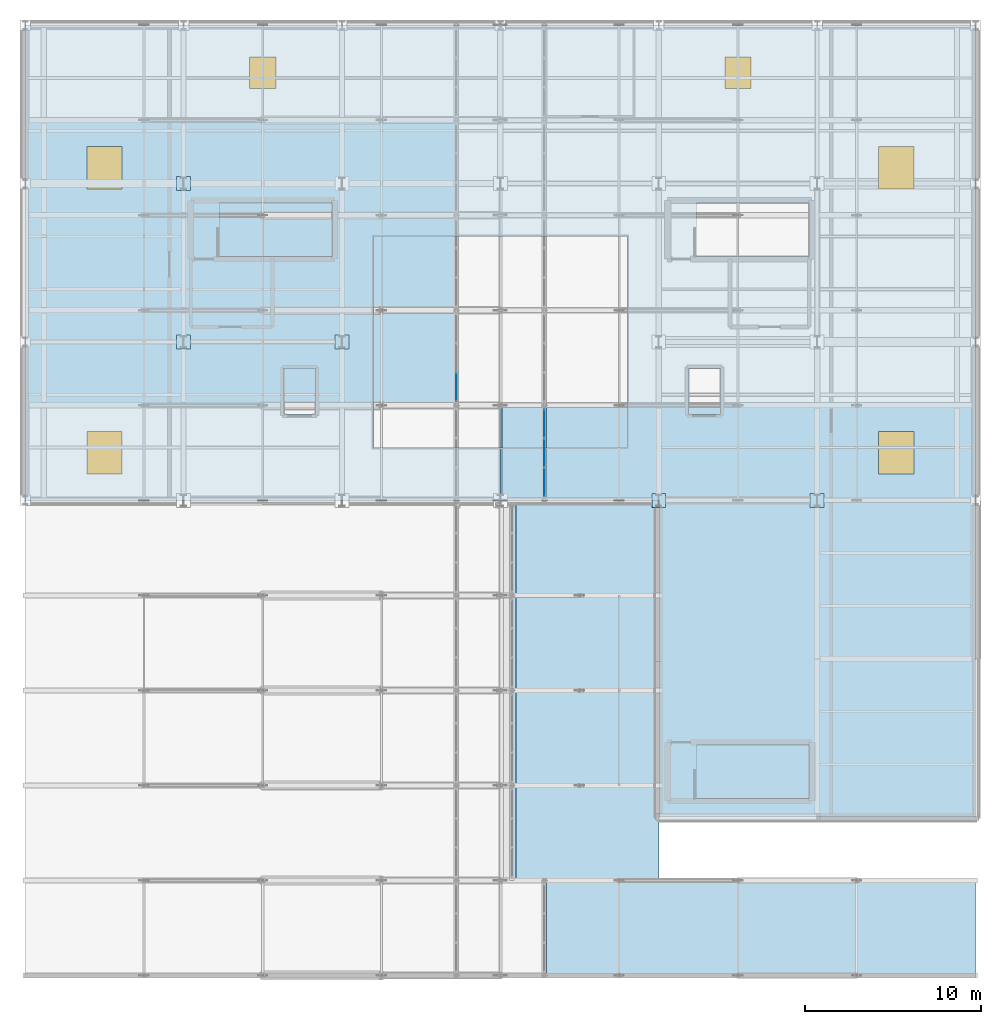
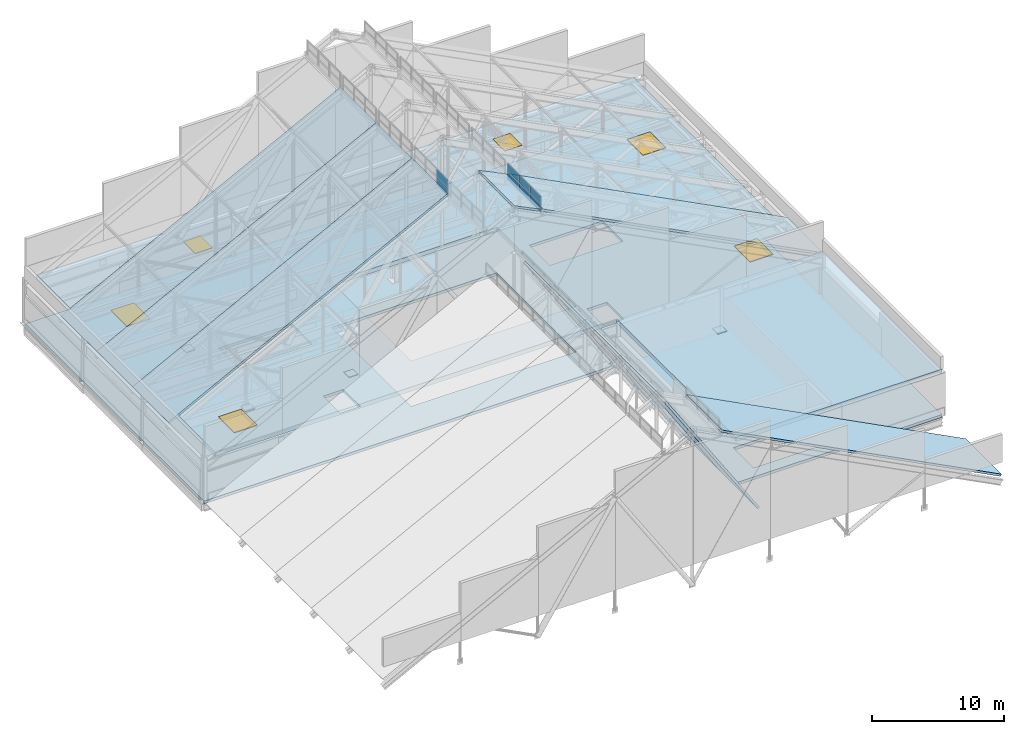
# One storey, part 70 of 84: 13 plates, 12 slabs, 6 windows, 6 openings, 2 elements without a shape of their own.
"""IFC4 building model written with IfcOpenShell, lengths in metres."""

from ifc_helpers import new_model, si_unit, direction, frame, origin, origin_2d, place, context, subcontext, project, spatial, polyline, rectangle, outline, extrude, material, layer, layer_set, type_object, element, fill, aggregate, save


model = new_model("IFC4")

# Units and contexts
model_context = context("Model", 3, precision=1e-05, world=origin(), true_north=direction((0.0, 1.0)))
body_context = subcontext(model_context, "Body", "Model", "MODEL_VIEW")
ifc_project = project(units=[si_unit("LENGTHUNIT", "METRE"), si_unit("AREAUNIT", "SQUARE_METRE"), si_unit("VOLUMEUNIT", "CUBIC_METRE"), si_unit("PLANEANGLEUNIT", "RADIAN"), si_unit("MASSUNIT", "GRAM", prefix="KILO")], contexts=[model_context])

# Site, building, storey
site_placement = place(None, origin())
site = spatial("IfcSite", under=ifc_project, at=site_placement, CompositionType="ELEMENT")
building_placement = place(site_placement, origin())
building = spatial("IfcBuilding", under=site, at=building_placement, Name="Sundgate Opera House", CompositionType="ELEMENT")
storey_placement = place(building_placement, frame((0.0, 0.0, 30.60009765625)))
storey = spatial("IfcBuildingStorey", under=building, at=storey_placement, Name="L06", CompositionType="ELEMENT", Elevation=30.60009765625)

# Curtain wall, plates
ifc_material_1 = material(Name="Anodized aluminium and low-iron glass", Category="aluminium")
ifc_layer_1 = layer(ifc_material_1, 0.169921875)
ifc_layer_set_1 = layer_set([ifc_layer_1], Name="Anodized aluminium and low-iron glass")
curtain_wall_type = type_object("IfcCurtainWallType", Name="CW-LANTERN-POLY", PredefinedType="NOTDEFINED", material=ifc_layer_set_1)
curtain_wall_1_placement = place(storey_placement, origin())
curtain_wall_1 = element("IfcCurtainWall", 1, at=curtain_wall_1_placement, inside=storey, type_object=curtain_wall_type, Name="L06 Curtain Wall CW180", PredefinedType="NOTDEFINED")
ifc_material_2 = material(Name="Polychrome stained-glass skylight glazing", Category="glass")
ifc_layer_2 = layer(ifc_material_2, 0.028076171875)
ifc_layer_set_2 = layer_set([ifc_layer_2], Name="Polychrome stained-glass skylight glazing")
plate_type_1 = type_object("IfcPlateType", Name="CWP-POLY-28", PredefinedType="CURTAIN_PANEL", material=ifc_layer_set_2)
plate_1_placement = place(storey_placement, frame((56.5, 61.033447265625, 16.219970703125), z_axis=(0.0, 0.0, 1.0), x_axis=(0.0, 1.0, 0.0)))
plate_1 = element("IfcPlate", 2, at=plate_1_placement, type_object=plate_type_1, Name="CW180 Panel 1", PredefinedType="CURTAIN_PANEL", context=body_context, shape_type="SweptSolid", body=[
    extrude(rectangle(XDim=1.626708984375, YDim=0.028076171875, at=origin_2d()), origin(), (0.0, 0.0, 1.0), 0.7099609375),
])
plate_2_placement = place(storey_placement, frame((56.5, 61.033447265625, 16.969970703125), z_axis=(0.0, 0.0, 1.0), x_axis=(0.0, 1.0, 0.0)))
plate_2 = element("IfcPlate", 3, at=plate_2_placement, type_object=plate_type_1, Name="CW180 Panel 2", PredefinedType="CURTAIN_PANEL", context=body_context, shape_type="SweptSolid", body=[
    extrude(rectangle(XDim=1.626708984375, YDim=0.028076171875, at=origin_2d()), origin(), (0.0, 0.0, 1.0), 0.7099609375),
])
plate_3_placement = place(storey_placement, frame((56.5, 62.699951171875, 16.219970703125), z_axis=(0.0, 0.0, 1.0), x_axis=(0.0, 1.0, 0.0)))
plate_3 = element("IfcPlate", 4, at=plate_3_placement, type_object=plate_type_1, Name="CW180 Panel 3", PredefinedType="CURTAIN_PANEL", context=body_context, shape_type="SweptSolid", body=[
    extrude(rectangle(XDim=1.626708984375, YDim=0.028076171875, at=origin_2d()), origin(), (0.0, 0.0, 1.0), 0.7099609375),
])
plate_4_placement = place(storey_placement, frame((56.5, 62.699951171875, 16.969970703125), z_axis=(0.0, 0.0, 1.0), x_axis=(0.0, 1.0, 0.0)))
plate_4 = element("IfcPlate", 5, at=plate_4_placement, type_object=plate_type_1, Name="CW180 Panel 4", PredefinedType="CURTAIN_PANEL", context=body_context, shape_type="SweptSolid", body=[
    extrude(rectangle(XDim=1.626708984375, YDim=0.028076171875, at=origin_2d()), origin(), (0.0, 0.0, 1.0), 0.7099609375),
])
plate_5_placement = place(storey_placement, frame((56.5, 64.36669921875, 16.219970703125), z_axis=(0.0, 0.0, 1.0), x_axis=(0.0, 1.0, 0.0)))
plate_5 = element("IfcPlate", 6, at=plate_5_placement, type_object=plate_type_1, Name="CW180 Panel 5", PredefinedType="CURTAIN_PANEL", context=body_context, shape_type="SweptSolid", body=[
    extrude(rectangle(XDim=1.626708984375, YDim=0.028076171875, at=origin_2d()), origin(), (0.0, 0.0, 1.0), 0.7099609375),
])
plate_6_placement = place(storey_placement, frame((56.5, 64.36669921875, 16.969970703125), z_axis=(0.0, 0.0, 1.0), x_axis=(0.0, 1.0, 0.0)))
plate_6 = element("IfcPlate", 7, at=plate_6_placement, type_object=plate_type_1, Name="CW180 Panel 6", PredefinedType="CURTAIN_PANEL", context=body_context, shape_type="SweptSolid", body=[
    extrude(rectangle(XDim=1.626708984375, YDim=0.028076171875, at=origin_2d()), origin(), (0.0, 0.0, 1.0), 0.7099609375),
])
aggregate(curtain_wall_1, [plate_1, plate_2, plate_3, plate_4, plate_5, plate_6])

curtain_wall_2_placement = place(storey_placement, origin())
curtain_wall_2 = element("IfcCurtainWall", 8, at=curtain_wall_2_placement, inside=storey, type_object=curtain_wall_type, Name="L06 Curtain Wall CW181", PredefinedType="NOTDEFINED")
plate_7_placement = place(storey_placement, frame((51.5, 66.433349609375, 16.219970703125), z_axis=(0.0, 0.0, 1.0), x_axis=(0.0, -1.0, 0.0)))
plate_7 = element("IfcPlate", 9, at=plate_7_placement, type_object=plate_type_1, Name="CW181 Panel 5", PredefinedType="CURTAIN_PANEL", context=body_context, shape_type="SweptSolid", body=[
    extrude(rectangle(XDim=1.626708984375, YDim=0.028076171875, at=origin_2d()), origin(), (0.0, 0.0, 1.0), 0.7099609375),
])
plate_8_placement = place(storey_placement, frame((51.5, 66.433349609375, 16.969970703125), z_axis=(0.0, 0.0, 1.0), x_axis=(0.0, -1.0, 0.0)))
plate_8 = element("IfcPlate", 10, at=plate_8_placement, type_object=plate_type_1, Name="CW181 Panel 6", PredefinedType="CURTAIN_PANEL", context=body_context, shape_type="SweptSolid", body=[
    extrude(rectangle(XDim=1.626708984375, YDim=0.028076171875, at=origin_2d()), origin(), (0.0, 0.0, 1.0), 0.7099609375),
])
aggregate(curtain_wall_2, [plate_7, plate_8])

# Plates
ifc_material_3 = material(Name="Steel S355J2", Category="steel")
ifc_layer_3 = layer(ifc_material_3, 0.0400390625)
ifc_layer_set_3 = layer_set([ifc_layer_3], Name="Steel S355J2")
plate_type_2 = type_object("IfcPlateType", Name="PT-BAS-40", PredefinedType="USERDEFINED", material=ifc_layer_set_3)
plate_9_placement = place(storey_placement, frame((36.0, 69.0, 0.0), z_axis=(0.0, 0.0, 1.0), x_axis=(1.0, 0.0, 0.0)))
element("IfcPlate", 11, at=plate_9_placement, inside=storey, type_object=plate_type_2, Name="L06 Base Plate PT0051", ObjectType="BASE PLATE", PredefinedType="USERDEFINED", context=body_context, shape_type="SweptSolid", body=[
    extrude(rectangle(XDim=0.7900390625, YDim=0.7900390625, at=origin_2d()), origin(), (0.0, 0.0, 1.0), 0.0400390625),
])
ifc_material_4 = material(Name="Steel S355J2", Category="steel")
ifc_layer_4 = layer(ifc_material_4, 0.044921875)
ifc_layer_set_4 = layer_set([ifc_layer_4], Name="Steel S355J2")
plate_type_3 = type_object("IfcPlateType", Name="PT-BAS-45", PredefinedType="USERDEFINED", material=ifc_layer_set_4)
for number, where, z_axis, x_axis, name in (
    (12, (36.0, 78.0, 0.0), (0.0, 0.0, 1.0), (1.0, 0.0, 0.0), "L06 Base Plate PT0053"),
    (13, (45.0, 69.0, 0.0), (0.0, 0.0, 1.0), (1.0, 0.0, 0.0), "L06 Base Plate PT0069"),
):
    element("IfcPlate", number, at=place(storey_placement, frame(where, z_axis=z_axis, x_axis=x_axis)), inside=storey, type_object=plate_type_3, Name=name, ObjectType="BASE PLATE", PredefinedType="USERDEFINED", context=body_context, shape_type="SweptSolid", body=[
        extrude(rectangle(XDim=0.7900390625, YDim=0.7900390625, at=origin_2d()), origin(), (0.0, 0.0, 1.0), 0.044921875),
    ])
ifc_material_5 = material(Name="Steel S355J2", Category="steel")
ifc_layer_5 = layer(ifc_material_5, 0.050048828125)
ifc_layer_set_5 = layer_set([ifc_layer_5], Name="Steel S355J2")
plate_type_4 = type_object("IfcPlateType", Name="PT-BAS-50", PredefinedType="USERDEFINED", material=ifc_layer_set_5)
plate_10_placement = place(storey_placement, frame((63.0, 60.0, 0.0), z_axis=(0.0, 0.0, 1.0), x_axis=(1.0, 0.0, 0.0)))
element("IfcPlate", 14, at=plate_10_placement, inside=storey, type_object=plate_type_4, Name="L06 Base Plate PT0102", ObjectType="BASE PLATE", PredefinedType="USERDEFINED", context=body_context, shape_type="SweptSolid", body=[
    extrude(rectangle(XDim=0.7900390625, YDim=0.7900390625, at=origin_2d()), origin(), (0.0, 0.0, 1.0), 0.050048828125),
])
ifc_material_6 = material(Name="Steel S355J2", Category="steel")
ifc_layer_6 = layer(ifc_material_6, 0.068115234375)
ifc_layer_set_6 = layer_set([ifc_layer_6], Name="Steel S355J2")
plate_type_5 = type_object("IfcPlateType", Name="PT-BAS-68", PredefinedType="USERDEFINED", material=ifc_layer_set_6)
plate_11_placement = place(storey_placement, frame((72.0, 60.0, 0.0), z_axis=(0.0, 0.0, 1.0), x_axis=(1.0, 0.0, 0.0)))
element("IfcPlate", 15, at=plate_11_placement, inside=storey, type_object=plate_type_5, Name="L06 Base Plate PT0122", ObjectType="BASE PLATE", PredefinedType="USERDEFINED", context=body_context, shape_type="SweptSolid", body=[
    extrude(rectangle(XDim=0.7900390625, YDim=0.7900390625, at=origin_2d()), origin(), (0.0, 0.0, 1.0), 0.068115234375),
])

# Slab
ifc_material_7 = material(Name="Concrete C35/45", Category="concrete")
ifc_layer_7 = layer(ifc_material_7, 0.260009765625)
ifc_layer_set_7 = layer_set([ifc_layer_7], Name="Concrete C35/45")
slab_type_1 = type_object("IfcSlabType", Name="SL-FLR-260", PredefinedType="FLOOR", material=ifc_layer_set_7)
slab_1_placement = place(storey_placement, frame((0.0, 0.0, -0.260009765625)))
element("IfcSlab", 16, at=slab_1_placement, inside=storey, type_object=slab_type_1, Name="L06 Structural Floor Slab V1", PredefinedType="FLOOR", context=body_context, shape_type="SweptSolid", body=[
    extrude(outline(polyline([(27.0, 60.0), (63.0, 60.0), (63.0, 42.0), (81.0, 42.0), (81.0, 87.0), (27.0, 87.0), (27.0, 60.0)]), holes=[polyline([(46.800048828125, 75.0), (61.199951171875, 75.0), (61.199951171875, 63.0), (46.800048828125, 63.0), (46.800048828125, 75.0)]), polyline([(38.050048828125, 76.89990234375), (44.449951171875, 76.89990234375), (44.449951171875, 73.85009765625), (38.050048828125, 73.85009765625), (38.050048828125, 76.89990234375)]), polyline([(65.14990234375, 46.10009765625), (71.550048828125, 46.10009765625), (71.550048828125, 43.050048828125), (65.14990234375, 43.050048828125), (65.14990234375, 46.10009765625)]), polyline([(65.14990234375, 76.89990234375), (71.550048828125, 76.89990234375), (71.550048828125, 73.85009765625), (65.14990234375, 73.85009765625), (65.14990234375, 76.89990234375)]), polyline([(41.719970703125, 67.47998046875), (43.47998046875, 67.47998046875), (43.47998046875, 64.919921875), (41.719970703125, 64.919921875), (41.719970703125, 67.47998046875)]), polyline([(64.719970703125, 67.47998046875), (66.47998046875, 67.47998046875), (66.47998046875, 64.919921875), (64.719970703125, 64.919921875), (64.719970703125, 67.47998046875)])]), origin(), (0.0, 0.0, 1.0), 0.260009765625),
])

# Slab, openings, windows
ifc_material_8 = material(Name="Concrete C40/50", Category="concrete")
ifc_layer_8 = layer(ifc_material_8, 0.39990234375)
ifc_layer_set_8 = layer_set([ifc_layer_8], Name="Concrete C40/50")
slab_type_2 = type_object("IfcSlabType", Name="SL-FLR-400", PredefinedType="FLOOR", material=ifc_layer_set_8)
slab_2_placement = place(storey_placement, frame((0.0, 0.0, 3.7998046875)))
slab_2 = element("IfcSlab", 17, at=slab_2_placement, inside=storey, type_object=slab_type_2, Name="L06 Fly-Tower Gridiron Maintenance Deck", PredefinedType="FLOOR", context=body_context, shape_type="SweptSolid", body=[
    extrude(outline(polyline([(27.949951171875, 60.0), (63.0, 60.0), (63.0, 42.0), (81.0, 42.0), (81.0, 60.0), (80.050048828125, 60.0), (80.050048828125, 87.0), (27.949951171875, 87.0), (27.949951171875, 60.0)]), holes=[polyline([(46.800048828125, 75.0), (61.199951171875, 75.0), (61.199951171875, 63.0), (46.800048828125, 63.0), (46.800048828125, 75.0)])]), origin(), (0.0, 0.0, 1.0), 0.400146484375),
])
opening_1_placement = place(slab_2_placement, frame((31.5, 62.699951171875, 0.0)))
opening_1 = element("IfcOpeningElement", 18, at=opening_1_placement, cuts=slab_2, Name="Opening SK1", PredefinedType="OPENING", context=body_context, shape_type="SweptSolid", body=[
    extrude(rectangle(XDim=2.0, YDim=2.39990234375, at=origin_2d()), origin(), (0.0, 0.0, 1.0), 0.400146484375),
])
opening_2_placement = place(slab_2_placement, frame((31.5, 78.89990234375, 0.0)))
opening_2 = element("IfcOpeningElement", 19, at=opening_2_placement, cuts=slab_2, Name="Opening SK1", PredefinedType="OPENING", context=body_context, shape_type="SweptSolid", body=[
    extrude(rectangle(XDim=2.0, YDim=2.39990234375, at=origin_2d()), origin(), (0.0, 0.0, 1.0), 0.400146484375),
])
opening_3_placement = place(slab_2_placement, frame((76.5, 62.699951171875, 0.0)))
opening_3 = element("IfcOpeningElement", 20, at=opening_3_placement, cuts=slab_2, Name="Opening SK1", PredefinedType="OPENING", context=body_context, shape_type="SweptSolid", body=[
    extrude(rectangle(XDim=2.0, YDim=2.39990234375, at=origin_2d()), origin(), (0.0, 0.0, 1.0), 0.400146484375),
])
opening_4_placement = place(slab_2_placement, frame((76.5, 78.89990234375, 0.0)))
opening_4 = element("IfcOpeningElement", 21, at=opening_4_placement, cuts=slab_2, Name="Opening SK1", PredefinedType="OPENING", context=body_context, shape_type="SweptSolid", body=[
    extrude(rectangle(XDim=2.0, YDim=2.39990234375, at=origin_2d()), origin(), (0.0, 0.0, 1.0), 0.400146484375),
])
opening_5_placement = place(slab_2_placement, frame((40.5, 84.300048828125, 0.0)))
opening_5 = element("IfcOpeningElement", 22, at=opening_5_placement, cuts=slab_2, Name="Opening SK2", PredefinedType="OPENING", context=body_context, shape_type="SweptSolid", body=[
    extrude(rectangle(XDim=1.5, YDim=1.800048828125, at=origin_2d()), origin(), (0.0, 0.0, 1.0), 0.400146484375),
])
opening_6_placement = place(slab_2_placement, frame((67.5, 84.300048828125, 0.0)))
opening_6 = element("IfcOpeningElement", 23, at=opening_6_placement, cuts=slab_2, Name="Opening SK2", PredefinedType="OPENING", context=body_context, shape_type="SweptSolid", body=[
    extrude(rectangle(XDim=1.5, YDim=1.800048828125, at=origin_2d()), origin(), (0.0, 0.0, 1.0), 0.400146484375),
])
ifc_material_9 = material(Name="Low-iron triple glazing in patinated bronze frame", Category="glass")
window_type_1 = type_object("IfcWindowType", Name="SK-SMOKE-1500x1800", PartitioningType="SINGLE_PANEL", PredefinedType="SKYLIGHT", material=ifc_material_9)
window_1_placement = place(opening_5_placement, frame((0.0, 0.0, 0.35009765625)))
window_1 = element("IfcWindow", 24, at=window_1_placement, inside=storey, type_object=window_type_1, Name="L06 Roof Skylight WN0355", OverallHeight=1.800048828125, OverallWidth=1.5, PartitioningType="SINGLE_PANEL", PredefinedType="SKYLIGHT", context=body_context, shape_type="SweptSolid", body=[
    extrude(rectangle(XDim=1.5, YDim=1.800048828125, at=origin_2d()), origin(), (0.0, 0.0, 1.0), 0.050048828125),
])
fill(opening_5, window_1)
window_2_placement = place(opening_6_placement, frame((0.0, 0.0, 0.35009765625)))
window_2 = element("IfcWindow", 25, at=window_2_placement, inside=storey, type_object=window_type_1, Name="L06 Roof Skylight WN0356", OverallHeight=1.800048828125, OverallWidth=1.5, PartitioningType="SINGLE_PANEL", PredefinedType="SKYLIGHT", context=body_context, shape_type="SweptSolid", body=[
    extrude(rectangle(XDim=1.5, YDim=1.800048828125, at=origin_2d()), origin(), (0.0, 0.0, 1.0), 0.050048828125),
])
fill(opening_6, window_2)
ifc_material_10 = material(Name="Low-iron triple glazing in patinated bronze frame", Category="glass")
window_type_2 = type_object("IfcWindowType", Name="SK-SMOKE-2000x2400", PartitioningType="SINGLE_PANEL", PredefinedType="SKYLIGHT", material=ifc_material_10)
window_3_placement = place(opening_1_placement, frame((0.0, 0.0, 0.35009765625)))
window_3 = element("IfcWindow", 26, at=window_3_placement, inside=storey, type_object=window_type_2, Name="L06 Roof Skylight WN0351", OverallHeight=2.39990234375, OverallWidth=2.0, PartitioningType="SINGLE_PANEL", PredefinedType="SKYLIGHT", context=body_context, shape_type="SweptSolid", body=[
    extrude(rectangle(XDim=2.0, YDim=2.39990234375, at=origin_2d()), origin(), (0.0, 0.0, 1.0), 0.050048828125),
])
fill(opening_1, window_3)
window_4_placement = place(opening_2_placement, frame((0.0, 0.0, 0.35009765625)))
window_4 = element("IfcWindow", 27, at=window_4_placement, inside=storey, type_object=window_type_2, Name="L06 Roof Skylight WN0352", OverallHeight=2.39990234375, OverallWidth=2.0, PartitioningType="SINGLE_PANEL", PredefinedType="SKYLIGHT", context=body_context, shape_type="SweptSolid", body=[
    extrude(rectangle(XDim=2.0, YDim=2.39990234375, at=origin_2d()), origin(), (0.0, 0.0, 1.0), 0.050048828125),
])
fill(opening_2, window_4)
window_5_placement = place(opening_3_placement, frame((0.0, 0.0, 0.35009765625)))
window_5 = element("IfcWindow", 28, at=window_5_placement, inside=storey, type_object=window_type_2, Name="L06 Roof Skylight WN0353", OverallHeight=2.39990234375, OverallWidth=2.0, PartitioningType="SINGLE_PANEL", PredefinedType="SKYLIGHT", context=body_context, shape_type="SweptSolid", body=[
    extrude(rectangle(XDim=2.0, YDim=2.39990234375, at=origin_2d()), origin(), (0.0, 0.0, 1.0), 0.050048828125),
])
fill(opening_3, window_5)
window_6_placement = place(opening_4_placement, frame((0.0, 0.0, 0.35009765625)))
window_6 = element("IfcWindow", 29, at=window_6_placement, inside=storey, type_object=window_type_2, Name="L06 Roof Skylight WN0354", OverallHeight=2.39990234375, OverallWidth=2.0, PartitioningType="SINGLE_PANEL", PredefinedType="SKYLIGHT", context=body_context, shape_type="SweptSolid", body=[
    extrude(rectangle(XDim=2.0, YDim=2.39990234375, at=origin_2d()), origin(), (0.0, 0.0, 1.0), 0.050048828125),
])
fill(opening_4, window_6)

# Slabs
ifc_material_11 = material(Name="Precast concrete C40/50", Category="concrete")
ifc_layer_9 = layer(ifc_material_11, 0.175048828125)
ifc_layer_set_9 = layer_set([ifc_layer_9], Name="Precast concrete C40/50")
slab_type_3 = type_object("IfcSlabType", Name="SL-ROOF-175", PredefinedType="ROOF", material=ifc_layer_set_9)
slab_3_placement = place(storey_placement, frame((54.090087890625, 60.0, 17.760009765625), z_axis=(0.436706374365, 0.0, 0.899604103253), x_axis=(0.899604103253, 0.0, -0.436706374365)))
element("IfcSlab", 30, at=slab_3_placement, inside=storey, type_object=slab_type_3, Name="V1 Skylight Ridge Cap Slab SR024", PredefinedType="ROOF", context=body_context, shape_type="SweptSolid", body=[
    extrude(outline(polyline([(0.0, 0.0), (2.6566047992486617, 0.0), (2.6566047992486617, 5.399902343750001), (0.0, 5.399902343750001), (0.0, 0.0)])), origin(), (0.0, 0.0, -1.0), 0.175048828125),
])
ifc_material_12 = material(Name="Precast concrete C40/50", Category="concrete")
ifc_layer_10 = layer(ifc_material_12, 0.195068359375)
ifc_layer_set_10 = layer_set([ifc_layer_10], Name="Precast concrete C40/50")
slab_type_4 = type_object("IfcSlabType", Name="SL-ROOF-195", PredefinedType="ROOF", material=ifc_layer_set_10)
slab_4_placement = place(storey_placement, frame((56.6201171875, 33.0, 12.565185546875), z_axis=(0.459277474052, 0.0, 0.888292858143), x_axis=(0.888292858143, 0.0, -0.459277474052)))
element("IfcSlab", 31, at=slab_4_placement, inside=storey, type_object=slab_type_4, Name="V1 Pitched Roof Slab SR002", PredefinedType="ROOF", context=body_context, shape_type="SweptSolid", body=[
    extrude(outline(polyline([(0.0, 0.0), (27.445771503166497, 0.0), (27.445771503166497, 5.39990234375), (0.0, 5.39990234375), (0.0, 0.0)])), origin(), (0.0, 0.0, -1.0), 0.195068359375),
])
slab_5_placement = place(storey_placement, frame((54.8798828125, 38.39990234375, 12.554931640625), z_axis=(0.840468978632, 0.0, 0.54185966445), x_axis=(0.54185966445, 0.0, -0.840468978632)))
element("IfcSlab", 32, at=slab_5_placement, inside=storey, type_object=slab_type_4, Name="V1 Pitched Roof Slab SR006", PredefinedType="ROOF", context=body_context, shape_type="SweptSolid", body=[
    extrude(outline(polyline([(0.0, 0.0), (14.985646137264485, 0.0), (14.985646137264485, 5.400146484375), (0.0, 5.400146484375), (0.0, 0.0)])), origin(), (0.0, 0.0, -1.0), 0.195068359375),
])
slab_6_placement = place(storey_placement, frame((54.8798828125, 43.800048828125, 12.554931640625), z_axis=(0.840468978632, 0.0, 0.54185966445), x_axis=(0.54185966445, 0.0, -0.840468978632)))
element("IfcSlab", 33, at=slab_6_placement, inside=storey, type_object=slab_type_4, Name="V1 Pitched Roof Slab SR010", PredefinedType="ROOF", context=body_context, shape_type="SweptSolid", body=[
    extrude(outline(polyline([(0.0, 0.0), (14.985646137264485, 0.0), (14.985646137264485, 5.39990234375), (0.0, 5.39990234375), (0.0, 0.0)])), origin(), (0.0, 0.0, -1.0), 0.195068359375),
])
slab_7_placement = place(storey_placement, frame((54.8798828125, 49.199951171875, 12.554931640625), z_axis=(0.840468978632, 0.0, 0.54185966445), x_axis=(0.54185966445, 0.0, -0.840468978632)))
element("IfcSlab", 34, at=slab_7_placement, inside=storey, type_object=slab_type_4, Name="V1 Pitched Roof Slab SR014", PredefinedType="ROOF", context=body_context, shape_type="SweptSolid", body=[
    extrude(outline(polyline([(0.0, 0.0), (14.985646137264485, 0.0), (14.985646137264485, 5.400146484375), (0.0, 5.400146484375), (0.0, 0.0)])), origin(), (0.0, 0.0, -1.0), 0.195068359375),
])
slab_8_placement = place(storey_placement, frame((54.8798828125, 54.60009765625, 12.554931640625), z_axis=(0.840468978632, 0.0, 0.54185966445), x_axis=(0.54185966445, 0.0, -0.840468978632)))
element("IfcSlab", 35, at=slab_8_placement, inside=storey, type_object=slab_type_4, Name="V1 Pitched Roof Slab SR018", PredefinedType="ROOF", context=body_context, shape_type="SweptSolid", body=[
    extrude(outline(polyline([(0.0, 0.0), (14.985646137264485, 0.0), (14.985646137264485, 5.14990234375), (0.0, 5.14990234375), (0.0, 0.0)])), origin(), (0.0, 0.0, -1.0), 0.195068359375),
])
slab_9_placement = place(storey_placement, frame((56.6201171875, 60.0, 16.570068359375), z_axis=(0.457977481706, 0.0, 0.888963793554), x_axis=(0.888963793554, 0.0, -0.457977481706)))
element("IfcSlab", 36, at=slab_9_placement, inside=storey, type_object=slab_type_4, Name="V1 Pitched Roof Slab SR022", PredefinedType="ROOF", context=body_context, shape_type="SweptSolid", body=[
    extrude(outline(polyline([(0.0, 0.0), (27.425057116251665, 0.0), (27.425057116251665, 5.39990234375), (0.0, 5.39990234375), (0.0, 0.0)])), origin(), (0.0, 0.0, -1.0), 0.195068359375),
])
slab_10_placement = place(storey_placement, frame((27.0, 65.39990234375, 4.010009765625), z_axis=(-0.457977481706, 0.0, 0.888963793554), x_axis=(0.888963793554, 0.0, 0.457977481706)))
element("IfcSlab", 37, at=slab_10_placement, inside=storey, type_object=slab_type_4, Name="V1 Pitched Roof Slab SR025", PredefinedType="ROOF", context=body_context, shape_type="SweptSolid", body=[
    extrude(outline(polyline([(0.0, 0.0), (27.425057116251665, 0.0), (27.425057116251665, 5.400146484375001), (0.0, 5.400146484375001), (0.0, 0.0)])), origin(), (0.0, 0.0, -1.0), 0.195068359375),
])
slab_11_placement = place(storey_placement, frame((27.0, 70.800048828125, 4.010009765625), z_axis=(-0.457977481706, 0.0, 0.888963793554), x_axis=(0.888963793554, 0.0, 0.457977481706)))
element("IfcSlab", 38, at=slab_11_placement, inside=storey, type_object=slab_type_4, Name="V1 Pitched Roof Slab SR029", PredefinedType="ROOF", context=body_context, shape_type="SweptSolid", body=[
    extrude(outline(polyline([(0.0, 0.0), (27.425057116251665, 0.0), (27.425057116251665, 5.39990234375), (0.0, 5.39990234375), (0.0, 0.0)])), origin(), (0.0, 0.0, -1.0), 0.195068359375),
])
slab_12_placement = place(storey_placement, frame((27.0, 76.199951171875, 4.010009765625), z_axis=(-0.457977481706, 0.0, 0.888963793554), x_axis=(0.888963793554, 0.0, 0.457977481706)))
element("IfcSlab", 39, at=slab_12_placement, inside=storey, type_object=slab_type_4, Name="V1 Pitched Roof Slab SR033", PredefinedType="ROOF", context=body_context, shape_type="SweptSolid", body=[
    extrude(outline(polyline([(0.0, 0.0), (27.425057116251665, 0.0), (27.425057116251665, 5.400146484375001), (0.0, 5.400146484375001), (0.0, 0.0)])), origin(), (0.0, 0.0, -1.0), 0.195068359375),
])

save(model, "model.ifc")
